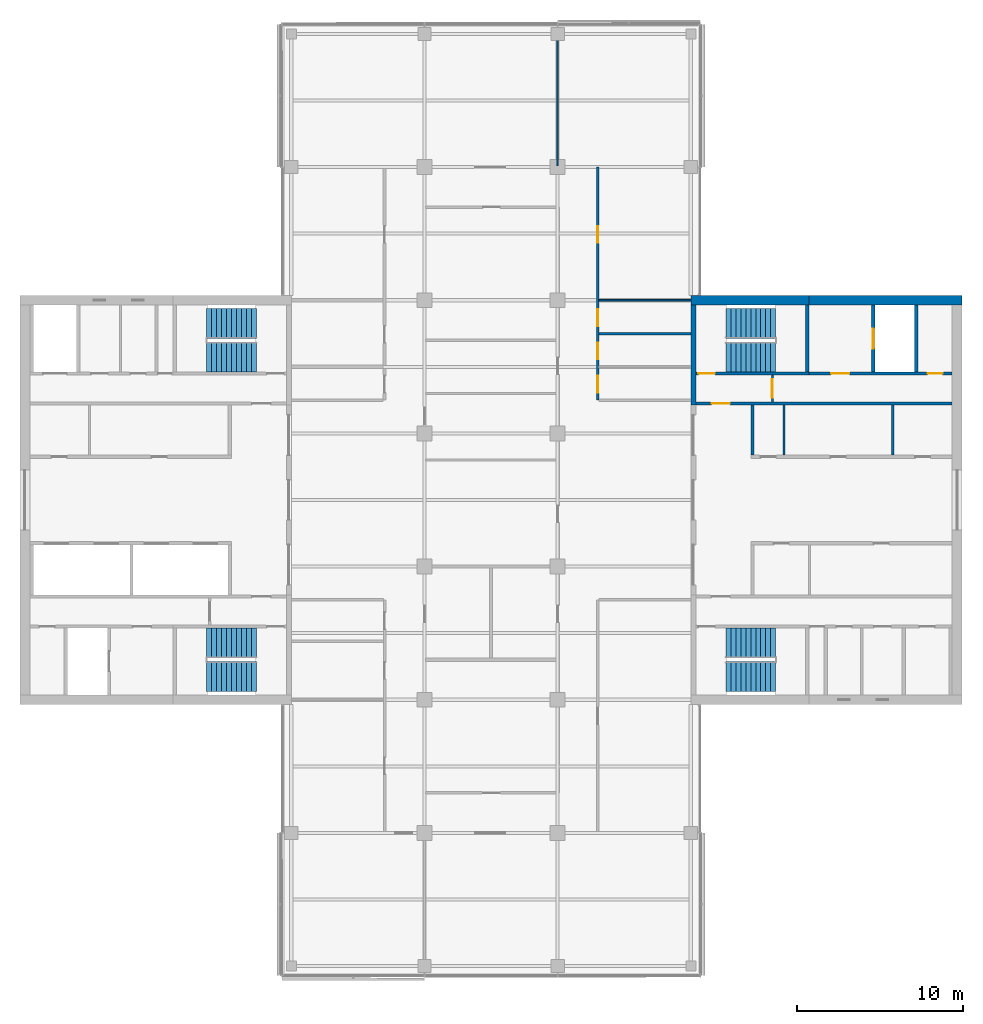
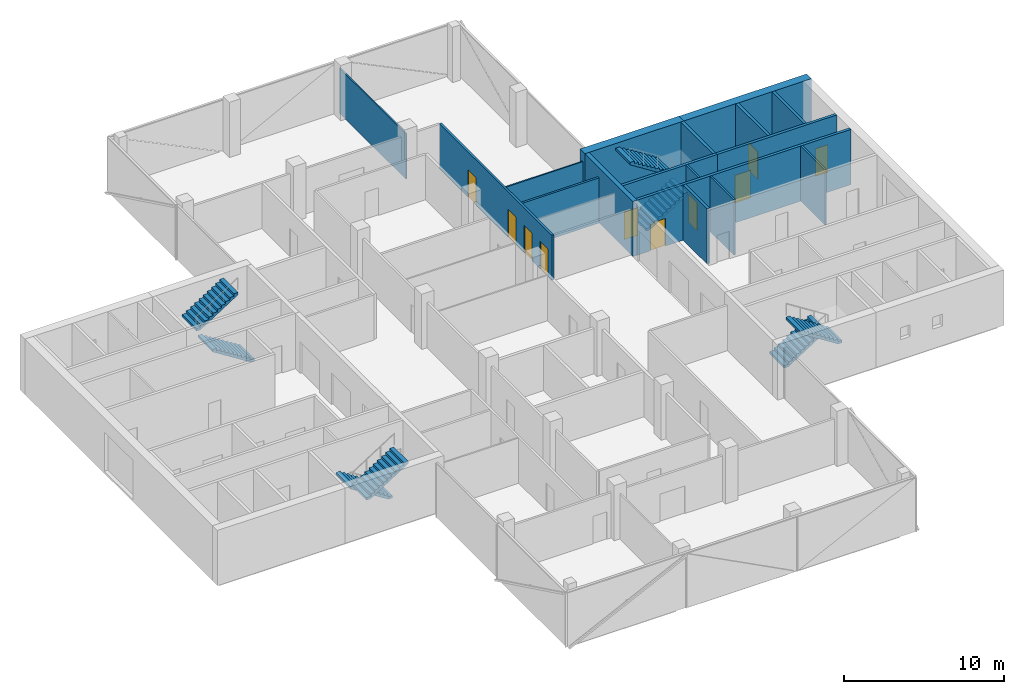
# One storey, part 12 of 15: 17 walls, 10 doors, 8 stair flights, 10 openings, 4 elements without a shape of their own.
"""IFC4 building model written with IfcOpenShell, lengths in metres."""

from ifc_helpers import new_model, si_unit, direction, frame, frame_2d, origin, place, context, subcontext, project, spatial, polyline, rectangle, outline, extrude, material, layer, layer_set, constituent, constituent_set, type_object, element, fill, aggregate, save


model = new_model("IFC4")

# Units and contexts
model_context = context("Model", 3, precision=1e-05, world=origin(), true_north=direction((0.0, 1.0)))
body_context = subcontext(model_context, "Body", "Model", "MODEL_VIEW")
ifc_project = project(units=[si_unit("LENGTHUNIT", "METRE"), si_unit("AREAUNIT", "SQUARE_METRE"), si_unit("VOLUMEUNIT", "CUBIC_METRE"), si_unit("PLANEANGLEUNIT", "RADIAN"), si_unit("MASSUNIT", "GRAM", prefix="KILO")], contexts=[model_context])

# Site, building, storey
site_placement = place(None, origin())
site = spatial("IfcSite", under=ifc_project, at=site_placement, CompositionType="ELEMENT")
building_placement = place(site_placement, origin())
building = spatial("IfcBuilding", under=site, at=building_placement, Name="Crosswind Convention Tower", CompositionType="ELEMENT")
storey_placement = place(building_placement, frame((0.0, 0.0, 220.89990234375)))
storey = spatial("IfcBuildingStorey", under=building, at=storey_placement, Name="L47", CompositionType="ELEMENT", Elevation=220.89990234375)

# Walls
ifc_material_1 = material(Name="Concrete C50/60", Category="concrete")
ifc_layer_1 = layer(ifc_material_1, 0.300048828125)
ifc_layer_set_1 = layer_set([ifc_layer_1], Name="Concrete C50/60")
wall_type_1 = type_object("IfcWallType", Name="Concrete inner core wall 300", PredefinedType="SHEAR", material=ifc_layer_set_1)
wall_1_placement = place(storey_placement, frame((137.14990234375, 105.699951171875, 0.0), z_axis=(0.0, 0.0, 1.0), x_axis=(0.0, 1.0, 0.0)))
element("IfcWall", 1, at=wall_1_placement, inside=storey, type_object=wall_type_1, Name="Wall EP E L47", PredefinedType="SHEAR", context=body_context, shape_type="SweptSolid", body=[
    extrude(rectangle(XDim=6.0, YDim=0.300048828125, at=frame_2d((3.0, 0.0))), origin(), (0.0, 0.0, 1.0), 4.2001953125),
])
ifc_layer_2 = layer(ifc_material_1, 0.199951171875)
ifc_layer_set_2 = layer_set([ifc_layer_2], Name="Concrete C50/60")
wall_type_2 = type_object("IfcWallType", Name="Concrete shaft and stair wall 200", PredefinedType="SHEAR", material=ifc_layer_set_2)
wall_2_placement = place(storey_placement, frame((140.699951171875, 102.699951171875, 0.0), z_axis=(0.0, 0.0, 1.0), x_axis=(0.0, 1.0, 0.0)))
element("IfcWall", 2, at=wall_2_placement, inside=storey, type_object=wall_type_2, Name="Wall RPEND E L47", PredefinedType="SHEAR", context=body_context, shape_type="SweptSolid", body=[
    extrude(rectangle(XDim=3.0, YDim=0.199951171875, at=frame_2d((1.5, 0.0))), origin(), (0.0, 0.0, 1.0), 4.2001953125),
])

# Wall, opening, door
wall_3_placement = place(storey_placement, frame((137.300048828125, 105.800048828125, 0.0), z_axis=(0.0, 0.0, 1.0), x_axis=(1.0, 0.0, 0.0)))
wall_3 = element("IfcWall", 3, at=wall_3_placement, inside=storey, type_object=wall_type_2, Name="Wall HP E L47", PredefinedType="SHEAR", context=body_context, shape_type="SweptSolid", body=[
    extrude(rectangle(XDim=15.39990234375, YDim=0.199951171875, at=frame_2d((7.699951171875, 0.0))), origin(), (0.0, 0.0, 1.0), 4.2001953125),
])
opening_1_placement = place(wall_3_placement, frame((0.949951171875, 0.0, 0.0)))
opening_1 = element("IfcOpeningElement", 4, at=opening_1_placement, cuts=wall_3, Name="Opening D104", PredefinedType="OPENING", context=body_context, shape_type="SweptSolid", body=[
    extrude(rectangle(XDim=1.10009765625, YDim=2.10009765625, at=frame_2d((0.550048828125, 1.050048828125))), frame((0.0, 0.10986328125, 0.0), z_axis=(0.0, -1.0, 0.0), x_axis=(1.0, 0.0, 0.0)), (0.0, 0.0, 1.0), 0.219970703125),
])
ifc_material_2 = material(Name="Steel fire door", Category="steel")
door_type_1 = type_object("IfcDoorType", Name="Fire-rated single door 1100x2100", OperationType="NOTDEFINED", PredefinedType="DOOR", material=ifc_material_2)
door_1_placement = place(opening_1_placement, origin())
door_1 = element("IfcDoor", 5, at=door_1_placement, inside=storey, type_object=door_type_1, Name="Corridor door L47", ObjectType="D104", OperationType="SINGLE_SWING_LEFT", OverallHeight=2.10009765625, OverallWidth=1.10009765625, PredefinedType="DOOR", context=body_context, shape_type="SweptSolid", body=[
    extrude(rectangle(XDim=1.10009765625, YDim=2.10009765625, at=frame_2d((0.550048828125, 1.050048828125))), frame((0.0, 0.02490234375, 0.0), z_axis=(0.0, -1.0, 0.0), x_axis=(1.0, 0.0, 0.0)), (0.0, 0.0, 1.0), 0.050048828125),
])
fill(opening_1, door_1)

# Wall
wall_4_placement = place(storey_placement, frame((144.0, 107.699951171875, 0.0), z_axis=(0.0, 0.0, 1.0), x_axis=(0.0, 1.0, 0.0)))
element("IfcWall", 6, at=wall_4_placement, inside=storey, type_object=wall_type_2, Name="Wall PSE E L47", PredefinedType="SHEAR", context=body_context, shape_type="SweptSolid", body=[
    extrude(rectangle(XDim=4.0, YDim=0.199951171875, at=frame_2d((2.0, 0.0))), origin(), (0.0, 0.0, 1.0), 4.2001953125),
])

# Wall, opening, door
wall_5_placement = place(storey_placement, frame((147.949951171875, 107.699951171875, 0.0), z_axis=(0.0, 0.0, 1.0), x_axis=(0.0, 1.0, 0.0)))
wall_5 = element("IfcWall", 7, at=wall_5_placement, inside=storey, type_object=wall_type_2, Name="Wall PFLW E L47", PredefinedType="SHEAR", context=body_context, shape_type="SweptSolid", body=[
    extrude(rectangle(XDim=4.0, YDim=0.199951171875, at=frame_2d((2.0, 0.0))), origin(), (0.0, 0.0, 1.0), 4.2001953125),
])
opening_2_placement = place(wall_5_placement, frame((1.39990234375, 0.0, 0.0)))
opening_2 = element("IfcOpeningElement", 8, at=opening_2_placement, cuts=wall_5, Name="Opening LD1", PredefinedType="OPENING", context=body_context, shape_type="SweptSolid", body=[
    extrude(rectangle(XDim=1.199951171875, YDim=2.10009765625, at=frame_2d((0.60009765625, 1.050048828125))), frame((0.0, 0.10986328125, 0.0), z_axis=(0.0, -1.0, 0.0), x_axis=(1.0, 0.0, 0.0)), (0.0, 0.0, 1.0), 0.219970703125),
])
ifc_material_3 = material(Name="Stainless steel", Category="steel")
door_type_2 = type_object("IfcDoorType", Name="Lift landing door 1200x2100", OperationType="DOUBLE_DOOR_SLIDING", PredefinedType="DOOR", material=ifc_material_3)
door_2_placement = place(opening_2_placement, origin())
door_2 = element("IfcDoor", 9, at=door_2_placement, inside=storey, type_object=door_type_2, Name="Landing door FF1 L47", ObjectType="LD1", OperationType="DOUBLE_DOOR_SLIDING", OverallHeight=2.10009765625, OverallWidth=1.199951171875, PredefinedType="DOOR", context=body_context, shape_type="SweptSolid", body=[
    extrude(rectangle(XDim=1.199951171875, YDim=2.10009765625, at=frame_2d((0.60009765625, 1.050048828125))), frame((0.0, 0.02490234375, 0.0), z_axis=(0.0, -1.0, 0.0), x_axis=(1.0, 0.0, 0.0)), (0.0, 0.0, 1.0), 0.050048828125),
])
fill(opening_2, door_2)

# Wall
wall_6_placement = place(storey_placement, frame((150.550048828125, 107.699951171875, 0.0), z_axis=(0.0, 0.0, 1.0), x_axis=(0.0, 1.0, 0.0)))
element("IfcWall", 10, at=wall_6_placement, inside=storey, type_object=wall_type_2, Name="Wall PFSE E L47", PredefinedType="SHEAR", context=body_context, shape_type="SweptSolid", body=[
    extrude(rectangle(XDim=4.0, YDim=0.199951171875, at=frame_2d((2.0, 0.0))), origin(), (0.0, 0.0, 1.0), 4.2001953125),
])

# Wall, opening, door
wall_7_placement = place(storey_placement, frame((137.300048828125, 107.60009765625, 0.0), z_axis=(0.0, 0.0, 1.0), x_axis=(1.0, 0.0, 0.0)))
wall_7 = element("IfcWall", 11, at=wall_7_placement, inside=storey, type_object=wall_type_2, Name="Wall PCW E L47", PredefinedType="SHEAR", context=body_context, shape_type="SweptSolid", body=[
    extrude(rectangle(XDim=6.800048828125, YDim=0.199951171875, at=frame_2d((3.39990234375, 0.0))), origin(), (0.0, 0.0, 1.0), 4.2001953125),
])
opening_3_placement = place(wall_7_placement, frame((0.14990234375, 0.0, 0.0)))
opening_3 = element("IfcOpeningElement", 12, at=opening_3_placement, cuts=wall_7, Name="Opening D103", PredefinedType="OPENING", context=body_context, shape_type="SweptSolid", body=[
    extrude(rectangle(XDim=1.0, YDim=2.10009765625, at=frame_2d((0.5, 1.050048828125))), frame((0.0, 0.10986328125, 0.0), z_axis=(0.0, -1.0, 0.0), x_axis=(1.0, 0.0, 0.0)), (0.0, 0.0, 1.0), 0.219970703125),
])
door_type_3 = type_object("IfcDoorType", Name="Fire-rated single door 1000x2100", OperationType="NOTDEFINED", PredefinedType="DOOR", material=ifc_material_2)
door_3_placement = place(opening_3_placement, origin())
door_3 = element("IfcDoor", 13, at=door_3_placement, inside=storey, type_object=door_type_3, Name="Stair ST1 door L47", ObjectType="D103", OperationType="SINGLE_SWING_LEFT", OverallHeight=2.10009765625, OverallWidth=1.0, PredefinedType="DOOR", context=body_context, shape_type="SweptSolid", body=[
    extrude(rectangle(XDim=1.0, YDim=2.10009765625, at=frame_2d((0.5, 1.050048828125))), frame((0.0, 0.02490234375, 0.0), z_axis=(0.0, -1.0, 0.0), x_axis=(1.0, 0.0, 0.0)), (0.0, 0.0, 1.0), 0.050048828125),
])
fill(opening_3, door_3)

# Wall, openings, doors
wall_8_placement = place(storey_placement, frame((144.10009765625, 107.60009765625, 0.0), z_axis=(0.0, 0.0, 1.0), x_axis=(1.0, 0.0, 0.0)))
wall_8 = element("IfcWall", 14, at=wall_8_placement, inside=storey, type_object=wall_type_2, Name="Wall PCX E L47", PredefinedType="SHEAR", context=body_context, shape_type="SweptSolid", body=[
    extrude(rectangle(XDim=8.599853515625, YDim=0.199951171875, at=frame_2d((4.2998046875, 0.0))), origin(), (0.0, 0.0, 1.0), 4.2001953125),
])
opening_4_placement = place(wall_8_placement, frame((1.324951171875, 0.0, 0.0)))
opening_4 = element("IfcOpeningElement", 15, at=opening_4_placement, cuts=wall_8, Name="Opening D104", PredefinedType="OPENING", context=body_context, shape_type="SweptSolid", body=[
    extrude(rectangle(XDim=1.10009765625, YDim=2.10009765625, at=frame_2d((0.550048828125, 1.050048828125))), frame((0.0, 0.10986328125, 0.0), z_axis=(0.0, -1.0, 0.0), x_axis=(1.0, 0.0, 0.0)), (0.0, 0.0, 1.0), 0.219970703125),
])
opening_5_placement = place(wall_8_placement, frame((7.125, 0.0, 0.0)))
opening_5 = element("IfcOpeningElement", 16, at=opening_5_placement, cuts=wall_8, Name="Opening D106", PredefinedType="OPENING", context=body_context, shape_type="SweptSolid", body=[
    extrude(rectangle(XDim=0.89990234375, YDim=2.10009765625, at=frame_2d((0.449951171875, 1.050048828125))), frame((0.0, 0.10986328125, 0.0), z_axis=(0.0, -1.0, 0.0), x_axis=(1.0, 0.0, 0.0)), (0.0, 0.0, 1.0), 0.219970703125),
])
door_4_placement = place(opening_4_placement, origin())
door_4 = element("IfcDoor", 17, at=door_4_placement, inside=storey, type_object=door_type_1, Name="Fire-fighting lobby FF1 door L47", ObjectType="D104", OperationType="SINGLE_SWING_RIGHT", OverallHeight=2.10009765625, OverallWidth=1.10009765625, PredefinedType="DOOR", context=body_context, shape_type="SweptSolid", body=[
    extrude(rectangle(XDim=1.10009765625, YDim=2.10009765625, at=frame_2d((0.550048828125, 1.050048828125))), frame((0.0, 0.02490234375, 0.0), z_axis=(0.0, -1.0, 0.0), x_axis=(1.0, 0.0, 0.0)), (0.0, 0.0, 1.0), 0.050048828125),
])
fill(opening_4, door_4)
ifc_material_4 = material(Name="Timber door", Category="wood")
door_type_4 = type_object("IfcDoorType", Name="Single leaf door 900x2100", OperationType="NOTDEFINED", PredefinedType="DOOR", material=ifc_material_4)
door_5_placement = place(opening_5_placement, origin())
door_5 = element("IfcDoor", 18, at=door_5_placement, inside=storey, type_object=door_type_4, Name="Door to cleaners' store L47", ObjectType="D106", OperationType="SINGLE_SWING_RIGHT", OverallHeight=2.10009765625, OverallWidth=0.89990234375, PredefinedType="DOOR", context=body_context, shape_type="SweptSolid", body=[
    extrude(rectangle(XDim=0.89990234375, YDim=2.10009765625, at=frame_2d((0.449951171875, 1.050048828125))), frame((0.0, 0.02490234375, 0.0), z_axis=(0.0, -1.0, 0.0), x_axis=(1.0, 0.0, 0.0)), (0.0, 0.0, 1.0), 0.050048828125),
])
fill(opening_5, door_5)

# Walls
ifc_material_5 = material(Name="Gypsum plasterboard partition", Category="gypsum")
ifc_layer_3 = layer(ifc_material_5, 0.125)
ifc_layer_set_3 = layer_set([ifc_layer_3], Name="Drywall partition wall 125")
wall_type_3 = type_object("IfcWallType", Name="Drywall partition wall 125", PredefinedType="PARTITIONING", material=ifc_layer_set_3)
for number, where, z_axis, x_axis, name in (
    (19, (142.5849609375, 102.699951171875, 0.0), (0.0, 0.0, 1.0), (0.0, 1.0, 0.0), "Wall RPP1 E L47"),
    (20, (149.1298828125, 102.699951171875, 0.0), (0.0, 0.0, 1.0), (0.0, 1.0, 0.0), "Wall RPP2 E L47"),
):
    element("IfcWall", number, at=place(storey_placement, frame(where, z_axis=z_axis, x_axis=x_axis)), inside=storey, type_object=wall_type_3, Name=name, PredefinedType="PARTITIONING", context=body_context, shape_type="SweptSolid", body=[
        extrude(rectangle(XDim=3.0, YDim=0.125, at=frame_2d((1.5, 0.0))), origin(), (0.0, 0.0, 1.0), 4.2001953125),
    ])

# Wall, opening, door
wall_9_placement = place(storey_placement, frame((141.89990234375, 105.89990234375, 0.0), z_axis=(0.0, 0.0, 1.0), x_axis=(0.0, 1.0, 0.0)))
wall_9 = element("IfcWall", 21, at=wall_9_placement, inside=storey, type_object=wall_type_3, Name="Wall PXC1 E L47", PredefinedType="PARTITIONING", context=body_context, shape_type="SweptSolid", body=[
    extrude(rectangle(XDim=1.60009765625, YDim=0.125, at=frame_2d((0.800048828125, 0.0))), origin(), (0.0, 0.0, 1.0), 4.2001953125),
])
opening_6_placement = place(wall_9_placement, frame((0.25, 0.0, 0.0)))
opening_6 = element("IfcOpeningElement", 22, at=opening_6_placement, cuts=wall_9, Name="Opening D104", PredefinedType="OPENING", context=body_context, shape_type="SweptSolid", body=[
    extrude(rectangle(XDim=1.10009765625, YDim=2.10009765625, at=frame_2d((0.550048828125, 1.050048828125))), frame((0.0, 0.072509765625, 0.0), z_axis=(0.0, -1.0, 0.0), x_axis=(1.0, 0.0, 0.0)), (0.0, 0.0, 1.0), 0.14501953125),
])
door_6_placement = place(opening_6_placement, origin())
door_6 = element("IfcDoor", 23, at=door_6_placement, inside=storey, type_object=door_type_1, Name="Corridor smoke door L47", ObjectType="D104", OperationType="SINGLE_SWING_RIGHT", OverallHeight=2.10009765625, OverallWidth=1.10009765625, PredefinedType="DOOR", context=body_context, shape_type="SweptSolid", body=[
    extrude(rectangle(XDim=1.10009765625, YDim=2.10009765625, at=frame_2d((0.550048828125, 1.050048828125))), frame((0.0, 0.02490234375, 0.0), z_axis=(0.0, -1.0, 0.0), x_axis=(1.0, 0.0, 0.0)), (0.0, 0.0, 1.0), 0.050048828125),
])
fill(opening_6, door_6)

# Walls
ifc_material_6 = material(Name="Plasterboard partition", Category="gypsum")
ifc_layer_4 = layer(ifc_material_6, 0.10009765625)
ifc_layer_set_4 = layer_set([ifc_layer_4], Name="PARTITION 100 METAL STUD")
wall_type_4 = type_object("IfcWallType", Name="PARTITION 100 METAL STUD", PredefinedType="PARTITIONING", material=ifc_layer_set_4)
wall_10_placement = place(storey_placement, frame((129.0, 120.074951171875, 0.0), z_axis=(0.0, 0.0, 1.0), x_axis=(0.0, 1.0, 0.0)))
element("IfcWall", 24, at=wall_10_placement, inside=storey, type_object=wall_type_4, Name="Partition wall WT40", PredefinedType="PARTITIONING", context=body_context, shape_type="SweptSolid", body=[
    extrude(rectangle(XDim=8.295166015625, YDim=0.10009765625, at=frame_2d((4.1474609375, 0.0))), origin(), (0.0, 0.0, 1.0), 3.43994140625),
])
wall_11_placement = place(storey_placement, frame((131.47509765625, 112.0, 0.0), z_axis=(0.0, 0.0, 1.0), x_axis=(1.0, 0.0, 0.0)))
element("IfcWall", 25, at=wall_11_placement, inside=storey, type_object=wall_type_4, Name="Partition wall WT40", PredefinedType="PARTITIONING", context=body_context, shape_type="SweptSolid", body=[
    extrude(rectangle(XDim=5.52490234375, YDim=0.10009765625, at=frame_2d((2.762451171875, 0.0))), origin(), (0.0, 0.0, 1.0), 3.43994140625),
])

# Wall, openings, doors
ifc_material_7 = material(Name="Fire-board partition with mineral wool", Category="gypsum")
ifc_layer_5 = layer(ifc_material_7, 0.14990234375)
ifc_layer_set_5 = layer_set([ifc_layer_5], Name="TENANCY WALL 150 TWO-HOUR BOARD")
wall_type_5 = type_object("IfcWallType", Name="TENANCY WALL 150 TWO-HOUR BOARD", PredefinedType="PARTITIONING", material=ifc_layer_set_5)
wall_12_placement = place(storey_placement, frame((131.39990234375, 106.0, 0.0), z_axis=(0.0, 0.0, 1.0), x_axis=(0.0, 1.0, 0.0)))
wall_12 = element("IfcWall", 26, at=wall_12_placement, inside=storey, type_object=wall_type_5, Name="Tenancy wall WT41", PredefinedType="PARTITIONING", context=body_context, shape_type="SweptSolid", body=[
    extrude(rectangle(XDim=14.0, YDim=0.14990234375, at=frame_2d((7.0, 0.0))), origin(), (0.0, 0.0, 1.0), 3.43994140625),
])
opening_7_placement = place(wall_12_placement, frame((0.449951171875, 0.0, 0.0)))
opening_7 = element("IfcOpeningElement", 27, at=opening_7_placement, cuts=wall_12, Name="Opening L47-50", PredefinedType="OPENING", context=body_context, shape_type="SweptSolid", body=[
    extrude(rectangle(XDim=1.0, YDim=2.10009765625, at=frame_2d((0.5, 1.050048828125))), frame((0.0, 0.0849609375, 0.0), z_axis=(0.0, -1.0, 0.0), x_axis=(1.0, 0.0, 0.0)), (0.0, 0.0, 1.0), 0.169921875),
])
opening_8_placement = place(wall_12_placement, frame((2.449951171875, 0.0, 0.0)))
opening_8 = element("IfcOpeningElement", 28, at=opening_8_placement, cuts=wall_12, Name="Opening L47-51", PredefinedType="OPENING", context=body_context, shape_type="SweptSolid", body=[
    extrude(rectangle(XDim=1.0, YDim=2.10009765625, at=frame_2d((0.5, 1.050048828125))), frame((0.0, 0.0849609375, 0.0), z_axis=(0.0, -1.0, 0.0), x_axis=(1.0, 0.0, 0.0)), (0.0, 0.0, 1.0), 0.169921875),
])
opening_9_placement = place(wall_12_placement, frame((4.449951171875, 0.0, 0.0)))
opening_9 = element("IfcOpeningElement", 29, at=opening_9_placement, cuts=wall_12, Name="Opening L47-52", PredefinedType="OPENING", context=body_context, shape_type="SweptSolid", body=[
    extrude(rectangle(XDim=1.0, YDim=2.10009765625, at=frame_2d((0.5, 1.050048828125))), frame((0.0, 0.0849609375, 0.0), z_axis=(0.0, -1.0, 0.0), x_axis=(1.0, 0.0, 0.0)), (0.0, 0.0, 1.0), 0.169921875),
])
opening_10_placement = place(wall_12_placement, frame((9.449951171875, 0.0, 0.0)))
opening_10 = element("IfcOpeningElement", 30, at=opening_10_placement, cuts=wall_12, Name="Opening L47-53", PredefinedType="OPENING", context=body_context, shape_type="SweptSolid", body=[
    extrude(rectangle(XDim=1.0, YDim=2.10009765625, at=frame_2d((0.5, 1.050048828125))), frame((0.0, 0.0849609375, 0.0), z_axis=(0.0, -1.0, 0.0), x_axis=(1.0, 0.0, 0.0)), (0.0, 0.0, 1.0), 0.169921875),
])
ifc_material_8 = material(Name="Timber fire door", Category="wood")
door_type_5 = type_object("IfcDoorType", Name="TENANCY ENTRANCE DOOR 1000X2100 FD30S", OperationType="NOTDEFINED", PredefinedType="DOOR", material=ifc_material_8)
door_7_placement = place(opening_7_placement, frame((1.0, 0.0, 0.0), z_axis=(0.0, 0.0, 1.0), x_axis=(-1.0, 0.0, 0.0)))
door_7 = element("IfcDoor", 31, at=door_7_placement, inside=storey, type_object=door_type_5, Name="Door L47-50", ObjectType="D41", OperationType="SINGLE_SWING_RIGHT", OverallHeight=2.10009765625, OverallWidth=1.0, PredefinedType="DOOR", context=body_context, shape_type="SweptSolid", body=[
    extrude(rectangle(XDim=1.0, YDim=2.10009765625, at=frame_2d((0.5, 1.050048828125))), frame((0.0, 0.02490234375, 0.0), z_axis=(0.0, -1.0, 0.0), x_axis=(1.0, 0.0, 0.0)), (0.0, 0.0, 1.0), 0.050048828125),
])
fill(opening_7, door_7)
door_8_placement = place(opening_8_placement, frame((1.0, 0.0, 0.0), z_axis=(0.0, 0.0, 1.0), x_axis=(-1.0, 0.0, 0.0)))
door_8 = element("IfcDoor", 32, at=door_8_placement, inside=storey, type_object=door_type_5, Name="Door L47-51", ObjectType="D41", OperationType="SINGLE_SWING_RIGHT", OverallHeight=2.10009765625, OverallWidth=1.0, PredefinedType="DOOR", context=body_context, shape_type="SweptSolid", body=[
    extrude(rectangle(XDim=1.0, YDim=2.10009765625, at=frame_2d((0.5, 1.050048828125))), frame((0.0, 0.02490234375, 0.0), z_axis=(0.0, -1.0, 0.0), x_axis=(1.0, 0.0, 0.0)), (0.0, 0.0, 1.0), 0.050048828125),
])
fill(opening_8, door_8)
door_9_placement = place(opening_9_placement, frame((1.0, 0.0, 0.0), z_axis=(0.0, 0.0, 1.0), x_axis=(-1.0, 0.0, 0.0)))
door_9 = element("IfcDoor", 33, at=door_9_placement, inside=storey, type_object=door_type_5, Name="Door L47-52", ObjectType="D41", OperationType="SINGLE_SWING_RIGHT", OverallHeight=2.10009765625, OverallWidth=1.0, PredefinedType="DOOR", context=body_context, shape_type="SweptSolid", body=[
    extrude(rectangle(XDim=1.0, YDim=2.10009765625, at=frame_2d((0.5, 1.050048828125))), frame((0.0, 0.02490234375, 0.0), z_axis=(0.0, -1.0, 0.0), x_axis=(1.0, 0.0, 0.0)), (0.0, 0.0, 1.0), 0.050048828125),
])
fill(opening_9, door_9)
door_10_placement = place(opening_10_placement, frame((1.0, 0.0, 0.0), z_axis=(0.0, 0.0, 1.0), x_axis=(-1.0, 0.0, 0.0)))
door_10 = element("IfcDoor", 34, at=door_10_placement, inside=storey, type_object=door_type_5, Name="Door L47-53", ObjectType="D41", OperationType="SINGLE_SWING_RIGHT", OverallHeight=2.10009765625, OverallWidth=1.0, PredefinedType="DOOR", context=body_context, shape_type="SweptSolid", body=[
    extrude(rectangle(XDim=1.0, YDim=2.10009765625, at=frame_2d((0.5, 1.050048828125))), frame((0.0, 0.02490234375, 0.0), z_axis=(0.0, -1.0, 0.0), x_axis=(1.0, 0.0, 0.0)), (0.0, 0.0, 1.0), 0.050048828125),
])
fill(opening_10, door_10)

# Walls
wall_13_placement = place(storey_placement, frame((131.47509765625, 110.0, 0.0), z_axis=(0.0, 0.0, 1.0), x_axis=(1.0, 0.0, 0.0)))
element("IfcWall", 35, at=wall_13_placement, inside=storey, type_object=wall_type_5, Name="Tenancy wall WT41", PredefinedType="PARTITIONING", context=body_context, shape_type="SweptSolid", body=[
    extrude(rectangle(XDim=5.52490234375, YDim=0.14990234375, at=frame_2d((2.762451171875, 0.0))), origin(), (0.0, 0.0, 1.0), 3.43994140625),
])
ifc_material_9 = material(Name="Concrete C60/75", Category="concrete")
ifc_constituent_1 = constituent(ifc_material_9, Name="Structure")
ifc_material_10 = material(Name="Terracotta rainscreen", Category="ceramic")
ifc_constituent_2 = constituent(ifc_material_10, Name="Facing")
ifc_constituent_set = constituent_set(constituents=[ifc_constituent_1, ifc_constituent_2], Name="Concrete C60/75, Terracotta rainscreen")
wall_type_6 = type_object("IfcWallType", Name="Terracotta rainscreen on concrete core wall 600", PredefinedType="SHEAR", material=ifc_constituent_set)
wall_14_placement = place(storey_placement, frame((137.0, 112.0, 0.0), z_axis=(0.0, 0.0, 1.0), x_axis=(1.0, 0.0, 0.0)))
element("IfcWall", 36, at=wall_14_placement, inside=storey, type_object=wall_type_6, Name="Wall N1 E L47", PredefinedType="SHEAR", context=body_context, shape_type="SweptSolid", body=[
    extrude(rectangle(XDim=7.10009765625, YDim=0.60009765625, at=frame_2d((3.550048828125, 0.0))), origin(), (0.0, 0.0, 1.0), 4.2001953125),
])
wall_15_placement = place(storey_placement, frame((144.10009765625, 112.0, 0.0), z_axis=(0.0, 0.0, 1.0), x_axis=(1.0, 0.0, 0.0)))
element("IfcWall", 37, at=wall_15_placement, inside=storey, type_object=wall_type_6, Name="Wall N2 E L47", PredefinedType="SHEAR", context=body_context, shape_type="SweptSolid", body=[
    extrude(rectangle(XDim=9.199951171875, YDim=0.60009765625, at=frame_2d((4.60009765625, 0.0))), origin(), (0.0, 0.0, 1.0), 4.2001953125),
])

# Stair, stair flights
ifc_material_11 = material(Name="Concrete C40/50", Category="concrete")
stair_type = type_object("IfcStairType", Name="Exit stair 1800 wide, 2 flights of 11 risers", PredefinedType="HALF_TURN_STAIR", material=ifc_material_11)
stair_1_placement = place(storey_placement, origin())
stair_1 = element("IfcStair", 38, at=stair_1_placement, inside=storey, type_object=stair_type, Name="Exit stair ST1 L47", ObjectType="ST5", PredefinedType="HALF_TURN_STAIR")
stair_flight_type = type_object("IfcStairFlightType", Name="Stair flight 1800 wide, 11 risers (SF4)", PredefinedType="STRAIGHT", material=ifc_material_11)
stair_flight_1_placement = place(storey_placement, frame((139.10009765625, 108.60009765625, 0.0), z_axis=(0.0, 0.0, 1.0), x_axis=(1.0, 0.0, 0.0)))
stair_flight_1 = element("IfcStairFlight", 39, at=stair_flight_1_placement, type_object=stair_flight_type, Name="ST1 flight 1", NumberOfRisers=11, NumberOfTreads=10, PredefinedType="STRAIGHT", RiserHeight=0.190909091, TreadLength=0.3, context=body_context, shape_type="SweptSolid", body=[
    extrude(outline(polyline([(0.0, 0.0), (0.0, 0.19091796875), (0.300048828125, 0.19091796875), (0.300048828125, 0.3818359375), (0.60009765625, 0.3818359375), (0.60009765625, 0.57275390625), (0.89990234375, 0.57275390625), (0.89990234375, 0.763671875), (1.199951171875, 0.763671875), (1.199951171875, 0.95458984375), (1.5, 0.95458984375), (1.5, 1.1455078125), (1.800048828125, 1.1455078125), (1.800048828125, 1.33642578125), (2.10009765625, 1.33642578125), (2.10009765625, 1.52734375), (2.39990234375, 1.52734375), (2.39990234375, 1.71826171875), (2.699951171875, 1.71826171875), (2.699951171875, 1.9091796875), (3.0, 1.9091796875), (3.0, 2.10009765625), (3.0, 1.7314453125), (0.279296875, 0.0), (0.0, 0.0)])), frame((0.0, 0.89990234375, 0.0), z_axis=(0.0, -1.0, 0.0), x_axis=(1.0, 0.0, 0.0)), (0.0, 0.0, 1.0), 1.800048828125),
])
stair_flight_2_placement = place(storey_placement, frame((142.10009765625, 110.60009765625, 2.10009765625), z_axis=(0.0, 0.0, 1.0), x_axis=(-1.0, 0.0, 0.0)))
stair_flight_2 = element("IfcStairFlight", 40, at=stair_flight_2_placement, type_object=stair_flight_type, Name="ST1 flight 2", NumberOfRisers=11, NumberOfTreads=10, PredefinedType="STRAIGHT", RiserHeight=0.190909091, TreadLength=0.3, context=body_context, shape_type="SweptSolid", body=[
    extrude(outline(polyline([(0.0, 0.0), (0.0, 0.19091796875), (0.300048828125, 0.19091796875), (0.300048828125, 0.3818359375), (0.60009765625, 0.3818359375), (0.60009765625, 0.57275390625), (0.89990234375, 0.57275390625), (0.89990234375, 0.763671875), (1.199951171875, 0.763671875), (1.199951171875, 0.95458984375), (1.5, 0.95458984375), (1.5, 1.1455078125), (1.800048828125, 1.1455078125), (1.800048828125, 1.33642578125), (2.10009765625, 1.33642578125), (2.10009765625, 1.52734375), (2.39990234375, 1.52734375), (2.39990234375, 1.71826171875), (2.699951171875, 1.71826171875), (2.699951171875, 1.9091796875), (3.0, 1.9091796875), (3.0, 2.10009765625), (3.0, 1.7314453125), (0.279296875, 0.0), (0.0, 0.0)])), frame((0.0, 0.89990234375, 0.0), z_axis=(0.0, -1.0, 0.0), x_axis=(1.0, 0.0, 0.0)), (0.0, 0.0, 1.0), 1.800048828125),
])
aggregate(stair_1, [stair_flight_1, stair_flight_2])

stair_2_placement = place(storey_placement, origin())
stair_2 = element("IfcStair", 41, at=stair_2_placement, inside=storey, type_object=stair_type, Name="Exit stair ST2 L47", ObjectType="ST5", PredefinedType="HALF_TURN_STAIR")
stair_flight_3_placement = place(storey_placement, frame((139.10009765625, 91.39990234375, 0.0), z_axis=(0.0, 0.0, 1.0), x_axis=(1.0, 0.0, 0.0)))
stair_flight_3 = element("IfcStairFlight", 42, at=stair_flight_3_placement, type_object=stair_flight_type, Name="ST2 flight 1", NumberOfRisers=11, NumberOfTreads=10, PredefinedType="STRAIGHT", RiserHeight=0.190909091, TreadLength=0.3, context=body_context, shape_type="SweptSolid", body=[
    extrude(outline(polyline([(0.0, 0.0), (0.0, 0.19091796875), (0.300048828125, 0.19091796875), (0.300048828125, 0.3818359375), (0.60009765625, 0.3818359375), (0.60009765625, 0.57275390625), (0.89990234375, 0.57275390625), (0.89990234375, 0.763671875), (1.199951171875, 0.763671875), (1.199951171875, 0.95458984375), (1.5, 0.95458984375), (1.5, 1.1455078125), (1.800048828125, 1.1455078125), (1.800048828125, 1.33642578125), (2.10009765625, 1.33642578125), (2.10009765625, 1.52734375), (2.39990234375, 1.52734375), (2.39990234375, 1.71826171875), (2.699951171875, 1.71826171875), (2.699951171875, 1.9091796875), (3.0, 1.9091796875), (3.0, 2.10009765625), (3.0, 1.7314453125), (0.279296875, 0.0), (0.0, 0.0)])), frame((0.0, 0.89990234375, 0.0), z_axis=(0.0, -1.0, 0.0), x_axis=(1.0, 0.0, 0.0)), (0.0, 0.0, 1.0), 1.800048828125),
])
stair_flight_4_placement = place(storey_placement, frame((142.10009765625, 89.39990234375, 2.10009765625), z_axis=(0.0, 0.0, 1.0), x_axis=(-1.0, 0.0, 0.0)))
stair_flight_4 = element("IfcStairFlight", 43, at=stair_flight_4_placement, type_object=stair_flight_type, Name="ST2 flight 2", NumberOfRisers=11, NumberOfTreads=10, PredefinedType="STRAIGHT", RiserHeight=0.190909091, TreadLength=0.3, context=body_context, shape_type="SweptSolid", body=[
    extrude(outline(polyline([(0.0, 0.0), (0.0, 0.19091796875), (0.300048828125, 0.19091796875), (0.300048828125, 0.3818359375), (0.60009765625, 0.3818359375), (0.60009765625, 0.57275390625), (0.89990234375, 0.57275390625), (0.89990234375, 0.763671875), (1.199951171875, 0.763671875), (1.199951171875, 0.95458984375), (1.5, 0.95458984375), (1.5, 1.1455078125), (1.800048828125, 1.1455078125), (1.800048828125, 1.33642578125), (2.10009765625, 1.33642578125), (2.10009765625, 1.52734375), (2.39990234375, 1.52734375), (2.39990234375, 1.71826171875), (2.699951171875, 1.71826171875), (2.699951171875, 1.9091796875), (3.0, 1.9091796875), (3.0, 2.10009765625), (3.0, 1.7314453125), (0.279296875, 0.0), (0.0, 0.0)])), frame((0.0, 0.89990234375, 0.0), z_axis=(0.0, -1.0, 0.0), x_axis=(1.0, 0.0, 0.0)), (0.0, 0.0, 1.0), 1.800048828125),
])
aggregate(stair_2, [stair_flight_3, stair_flight_4])

stair_3_placement = place(storey_placement, origin())
stair_3 = element("IfcStair", 44, at=stair_3_placement, inside=storey, type_object=stair_type, Name="Exit stair ST3 L47", ObjectType="ST5", PredefinedType="HALF_TURN_STAIR")
stair_flight_5_placement = place(storey_placement, frame((110.89990234375, 91.39990234375, 0.0), z_axis=(0.0, 0.0, 1.0), x_axis=(-1.0, 0.0, 0.0)))
stair_flight_5 = element("IfcStairFlight", 45, at=stair_flight_5_placement, type_object=stair_flight_type, Name="ST3 flight 1", NumberOfRisers=11, NumberOfTreads=10, PredefinedType="STRAIGHT", RiserHeight=0.190909091, TreadLength=0.3, context=body_context, shape_type="SweptSolid", body=[
    extrude(outline(polyline([(0.0, 0.0), (0.0, 0.19091796875), (0.300048828125, 0.19091796875), (0.300048828125, 0.3818359375), (0.60009765625, 0.3818359375), (0.60009765625, 0.57275390625), (0.89990234375, 0.57275390625), (0.89990234375, 0.763671875), (1.199951171875, 0.763671875), (1.199951171875, 0.95458984375), (1.5, 0.95458984375), (1.5, 1.1455078125), (1.800048828125, 1.1455078125), (1.800048828125, 1.33642578125), (2.10009765625, 1.33642578125), (2.10009765625, 1.52734375), (2.39990234375, 1.52734375), (2.39990234375, 1.71826171875), (2.699951171875, 1.71826171875), (2.699951171875, 1.9091796875), (3.0, 1.9091796875), (3.0, 2.10009765625), (3.0, 1.7314453125), (0.279296875, 0.0), (0.0, 0.0)])), frame((0.0, 0.89990234375, 0.0), z_axis=(0.0, -1.0, 0.0), x_axis=(1.0, 0.0, 0.0)), (0.0, 0.0, 1.0), 1.800048828125),
])
stair_flight_6_placement = place(storey_placement, frame((107.89990234375, 89.39990234375, 2.10009765625), z_axis=(0.0, 0.0, 1.0), x_axis=(1.0, 0.0, 0.0)))
stair_flight_6 = element("IfcStairFlight", 46, at=stair_flight_6_placement, type_object=stair_flight_type, Name="ST3 flight 2", NumberOfRisers=11, NumberOfTreads=10, PredefinedType="STRAIGHT", RiserHeight=0.190909091, TreadLength=0.3, context=body_context, shape_type="SweptSolid", body=[
    extrude(outline(polyline([(0.0, 0.0), (0.0, 0.19091796875), (0.300048828125, 0.19091796875), (0.300048828125, 0.3818359375), (0.60009765625, 0.3818359375), (0.60009765625, 0.57275390625), (0.89990234375, 0.57275390625), (0.89990234375, 0.763671875), (1.199951171875, 0.763671875), (1.199951171875, 0.95458984375), (1.5, 0.95458984375), (1.5, 1.1455078125), (1.800048828125, 1.1455078125), (1.800048828125, 1.33642578125), (2.10009765625, 1.33642578125), (2.10009765625, 1.52734375), (2.39990234375, 1.52734375), (2.39990234375, 1.71826171875), (2.699951171875, 1.71826171875), (2.699951171875, 1.9091796875), (3.0, 1.9091796875), (3.0, 2.10009765625), (3.0, 1.7314453125), (0.279296875, 0.0), (0.0, 0.0)])), frame((0.0, 0.89990234375, 0.0), z_axis=(0.0, -1.0, 0.0), x_axis=(1.0, 0.0, 0.0)), (0.0, 0.0, 1.0), 1.800048828125),
])
aggregate(stair_3, [stair_flight_5, stair_flight_6])

stair_4_placement = place(storey_placement, origin())
stair_4 = element("IfcStair", 47, at=stair_4_placement, inside=storey, type_object=stair_type, Name="Exit stair ST4 L47", ObjectType="ST5", PredefinedType="HALF_TURN_STAIR")
stair_flight_7_placement = place(storey_placement, frame((110.89990234375, 108.60009765625, 0.0), z_axis=(0.0, 0.0, 1.0), x_axis=(-1.0, 0.0, 0.0)))
stair_flight_7 = element("IfcStairFlight", 48, at=stair_flight_7_placement, type_object=stair_flight_type, Name="ST4 flight 1", NumberOfRisers=11, NumberOfTreads=10, PredefinedType="STRAIGHT", RiserHeight=0.190909091, TreadLength=0.3, context=body_context, shape_type="SweptSolid", body=[
    extrude(outline(polyline([(0.0, 0.0), (0.0, 0.19091796875), (0.300048828125, 0.19091796875), (0.300048828125, 0.3818359375), (0.60009765625, 0.3818359375), (0.60009765625, 0.57275390625), (0.89990234375, 0.57275390625), (0.89990234375, 0.763671875), (1.199951171875, 0.763671875), (1.199951171875, 0.95458984375), (1.5, 0.95458984375), (1.5, 1.1455078125), (1.800048828125, 1.1455078125), (1.800048828125, 1.33642578125), (2.10009765625, 1.33642578125), (2.10009765625, 1.52734375), (2.39990234375, 1.52734375), (2.39990234375, 1.71826171875), (2.699951171875, 1.71826171875), (2.699951171875, 1.9091796875), (3.0, 1.9091796875), (3.0, 2.10009765625), (3.0, 1.7314453125), (0.279296875, 0.0), (0.0, 0.0)])), frame((0.0, 0.89990234375, 0.0), z_axis=(0.0, -1.0, 0.0), x_axis=(1.0, 0.0, 0.0)), (0.0, 0.0, 1.0), 1.800048828125),
])
stair_flight_8_placement = place(storey_placement, frame((107.89990234375, 110.60009765625, 2.10009765625), z_axis=(0.0, 0.0, 1.0), x_axis=(1.0, 0.0, 0.0)))
stair_flight_8 = element("IfcStairFlight", 49, at=stair_flight_8_placement, type_object=stair_flight_type, Name="ST4 flight 2", NumberOfRisers=11, NumberOfTreads=10, PredefinedType="STRAIGHT", RiserHeight=0.190909091, TreadLength=0.3, context=body_context, shape_type="SweptSolid", body=[
    extrude(outline(polyline([(0.0, 0.0), (0.0, 0.19091796875), (0.300048828125, 0.19091796875), (0.300048828125, 0.3818359375), (0.60009765625, 0.3818359375), (0.60009765625, 0.57275390625), (0.89990234375, 0.57275390625), (0.89990234375, 0.763671875), (1.199951171875, 0.763671875), (1.199951171875, 0.95458984375), (1.5, 0.95458984375), (1.5, 1.1455078125), (1.800048828125, 1.1455078125), (1.800048828125, 1.33642578125), (2.10009765625, 1.33642578125), (2.10009765625, 1.52734375), (2.39990234375, 1.52734375), (2.39990234375, 1.71826171875), (2.699951171875, 1.71826171875), (2.699951171875, 1.9091796875), (3.0, 1.9091796875), (3.0, 2.10009765625), (3.0, 1.7314453125), (0.279296875, 0.0), (0.0, 0.0)])), frame((0.0, 0.89990234375, 0.0), z_axis=(0.0, -1.0, 0.0), x_axis=(1.0, 0.0, 0.0)), (0.0, 0.0, 1.0), 1.800048828125),
])
aggregate(stair_4, [stair_flight_7, stair_flight_8])

save(model, "model.ifc")
